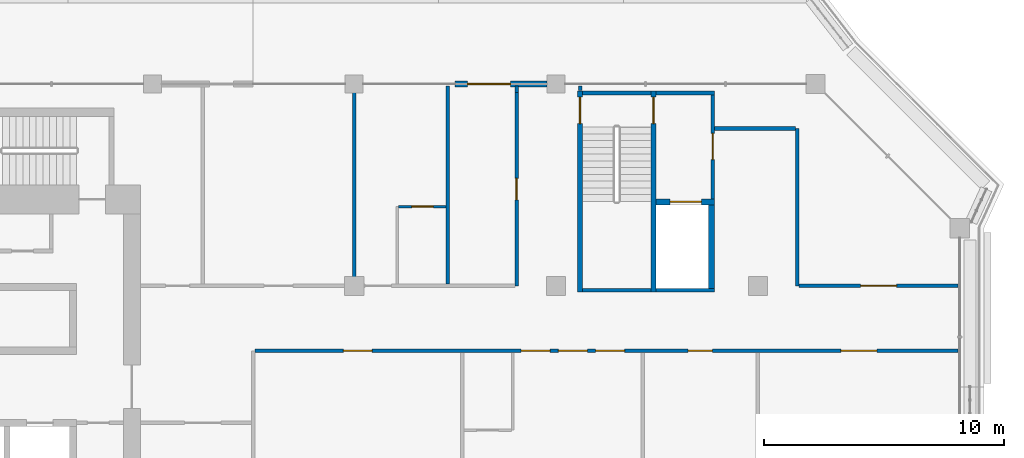
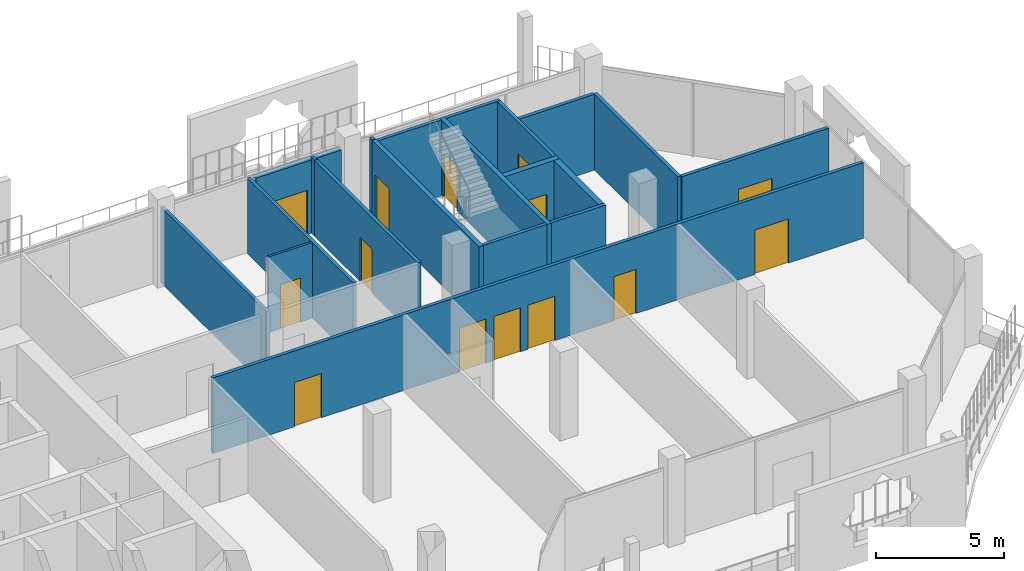
# One storey, part 13 of 21: 20 walls, 14 doors, 14 openings.
"""IFC4 building model written with IfcOpenShell, lengths in metres."""

from ifc_helpers import new_model, si_unit, direction, frame, frame_2d, origin, place, context, subcontext, project, spatial, rectangle, extrude, material, layer, layer_set, type_object, element, fill, save


model = new_model("IFC4")

# Units and contexts
model_context = context("Model", 3, precision=1e-05, world=origin(), true_north=direction((0.0, 1.0)))
body_context = subcontext(model_context, "Body", "Model", "MODEL_VIEW")
ifc_project = project(units=[si_unit("LENGTHUNIT", "METRE"), si_unit("AREAUNIT", "SQUARE_METRE"), si_unit("VOLUMEUNIT", "CUBIC_METRE"), si_unit("PLANEANGLEUNIT", "RADIAN"), si_unit("MASSUNIT", "GRAM", prefix="KILO")], contexts=[model_context])

# Site, building, storey
site_placement = place(None, origin())
site = spatial("IfcSite", under=ifc_project, at=site_placement, CompositionType="ELEMENT")
building_placement = place(site_placement, origin())
building = spatial("IfcBuilding", under=site, at=building_placement, Name="Kawkab Arch Medical Tower", CompositionType="ELEMENT")
storey_placement = place(building_placement, frame((0.0, 0.0, 302.800048828125)))
storey = spatial("IfcBuildingStorey", under=building, at=storey_placement, Name="L70", CompositionType="ELEMENT", Elevation=302.800048828125)

# Wall, opening, door
ifc_material_1 = material(Name="Gypsum board on steel studs", Category="steel")
ifc_layer_1 = layer(ifc_material_1, 0.14990234375)
ifc_layer_set_1 = layer_set([ifc_layer_1], Name="Gypsum board on steel studs")
wall_type_1 = type_object("IfcWallType", Name="Core room partition 150", PredefinedType="PARTITIONING", material=ifc_layer_set_1)
wall_1_placement = place(storey_placement, frame((48.52490234375, -4.77490234375, 0.0), z_axis=(0.0, 0.0, 1.0), x_axis=(0.0, 1.0, 0.0)))
wall_1 = element("IfcWall", 1, at=wall_1_placement, inside=storey, type_object=wall_type_1, Name="L70 core room partition", PredefinedType="PARTITIONING", context=body_context, shape_type="SweptSolid", body=[
    extrude(rectangle(XDim=4.324951171875, YDim=0.14990234375, at=frame_2d((2.16259765625, 0.0))), origin(), (0.0, 0.0, 1.0), 3.599853515625),
])
opening_1_placement = place(wall_1_placement, frame((1.625, 0.0, 0.0)))
opening_1 = element("IfcOpeningElement", 2, at=opening_1_placement, cuts=wall_1, Name="Opening FD", PredefinedType="OPENING", context=body_context, shape_type="SweptSolid", body=[
    extrude(rectangle(XDim=1.10009765625, YDim=2.10009765625, at=frame_2d((0.550048828125, 1.050048828125))), frame((0.0, 0.0849609375, 0.0), z_axis=(0.0, -1.0, 0.0), x_axis=(1.0, 0.0, 0.0)), (0.0, 0.0, 1.0), 0.169921875),
])
ifc_material_2 = material(Name="Hollow metal fire door leaf")
door_type_1 = type_object("IfcDoorType", Name="Firefighting lobby door 1100", OperationType="SINGLE_SWING_LEFT", PredefinedType="DOOR", material=ifc_material_2)
door_1_placement = place(opening_1_placement, origin())
door_1 = element("IfcDoor", 3, at=door_1_placement, inside=storey, type_object=door_type_1, Name="L70 Service lift lobby door SV1", OperationType="SINGLE_SWING_LEFT", OverallHeight=2.10009765625, OverallWidth=1.10009765625, PredefinedType="DOOR", context=body_context, shape_type="SweptSolid", body=[
    extrude(rectangle(XDim=1.10009765625, YDim=2.10009765625, at=frame_2d((0.550048828125, 1.050048828125))), frame((0.0, 0.02490234375, 0.0), z_axis=(0.0, -1.0, 0.0), x_axis=(1.0, 0.0, 0.0)), (0.0, 0.0, 1.0), 0.050048828125),
])
fill(opening_1, door_1)

ifc_material_3 = material(Name="Concrete C60/75", Category="concrete")
ifc_layer_2 = layer(ifc_material_3, 0.25)
ifc_layer_set_2 = layer_set([ifc_layer_2], Name="Concrete C60/75")
wall_type_2 = type_object("IfcWallType", Name="Core shear wall 250 C60/75", PredefinedType="SHEAR", material=ifc_layer_set_2)
wall_2_placement = place(storey_placement, frame((46.14990234375, -4.89990234375, 0.0), z_axis=(0.0, 0.0, 1.0), x_axis=(1.0, 0.0, 0.0)))
wall_2 = element("IfcWall", 4, at=wall_2_placement, inside=storey, type_object=wall_type_2, Name="L70 core shear wall", PredefinedType="SHEAR", context=body_context, shape_type="SweptSolid", body=[
    extrude(rectangle(XDim=2.4501953125, YDim=0.25, at=frame_2d((1.22509765625, 0.0))), origin(), (0.0, 0.0, 1.0), 3.599853515625),
])
opening_2_placement = place(wall_2_placement, frame((0.60009765625, 0.0, 0.0)))
opening_2 = element("IfcOpeningElement", 5, at=opening_2_placement, cuts=wall_2, Name="Opening LD2", PredefinedType="OPENING", context=body_context, shape_type="SweptSolid", body=[
    extrude(rectangle(XDim=1.300048828125, YDim=2.10009765625, at=frame_2d((0.64990234375, 1.050048828125))), frame((0.0, 0.135009765625, 0.0), z_axis=(0.0, -1.0, 0.0), x_axis=(1.0, 0.0, 0.0)), (0.0, 0.0, 1.0), 0.27001953125),
])
ifc_material_4 = material(Name="Stainless steel lift door leaf", Category="steel")
door_type_2 = type_object("IfcDoorType", Name="Lift landing door 1300", OperationType="DOUBLE_DOOR_SLIDING", PredefinedType="DOOR", material=ifc_material_4)
door_2_placement = place(opening_2_placement, origin())
door_2 = element("IfcDoor", 6, at=door_2_placement, inside=storey, type_object=door_type_2, Name="L70 Lift landing door SV1", OperationType="DOUBLE_DOOR_SLIDING", OverallHeight=2.10009765625, OverallWidth=1.300048828125, PredefinedType="DOOR", context=body_context, shape_type="SweptSolid", body=[
    extrude(rectangle(XDim=1.300048828125, YDim=2.10009765625, at=frame_2d((0.64990234375, 1.050048828125))), frame((0.0, 0.02490234375, 0.0), z_axis=(0.0, -1.0, 0.0), x_axis=(1.0, 0.0, 0.0)), (0.0, 0.0, 1.0), 0.050048828125),
])
fill(opening_2, door_2)

# Wall
wall_3_placement = place(storey_placement, frame((48.47509765625, -8.5, 0.0), z_axis=(0.0, 0.0, 1.0), x_axis=(0.0, 1.0, 0.0)))
element("IfcWall", 7, at=wall_3_placement, inside=storey, type_object=wall_type_2, Name="L70 core shear wall", PredefinedType="SHEAR", context=body_context, shape_type="SweptSolid", body=[
    extrude(rectangle(XDim=3.47509765625, YDim=0.25, at=frame_2d((1.737548828125, 0.0))), origin(), (0.0, 0.0, 1.0), 3.599853515625),
])

# Wall, opening, door
ifc_material_5 = material(Name="Bronze clad insulated wall panel")
ifc_layer_3 = layer(ifc_material_5, 0.25)
ifc_layer_set_3 = layer_set([ifc_layer_3], Name="Bronze clad insulated wall panel")
wall_type_3 = type_object("IfcWallType", Name="External wall bay 250", PredefinedType="SOLIDWALL", material=ifc_layer_set_3)
wall_4_placement = place(storey_placement, frame((41.625, 0.0, 0.0), z_axis=(0.0, 0.0, 1.0), x_axis=(-1.0, 0.0, 0.0)))
wall_4 = element("IfcWall", 8, at=wall_4_placement, inside=storey, type_object=wall_type_3, Name="External wall bay L70.R15.2.1", PredefinedType="SOLIDWALL", context=body_context, shape_type="SweptSolid", body=[
    extrude(rectangle(XDim=3.824951171875, YDim=0.25, at=frame_2d((1.91259765625, 0.0))), origin(), (0.0, 0.0, 1.0), 3.47998046875),
])
opening_3_placement = place(wall_4_placement, frame((1.512451171875, 0.0, 0.0)))
opening_3 = element("IfcOpeningElement", 9, at=opening_3_placement, cuts=wall_4, Name="Opening W70-701", PredefinedType="OPENING", context=body_context, shape_type="SweptSolid", body=[
    extrude(rectangle(XDim=1.800048828125, YDim=2.10009765625, at=frame_2d((0.89990234375, 1.050048828125))), frame((0.0, 0.135009765625, 0.0), z_axis=(0.0, -1.0, 0.0), x_axis=(1.0, 0.0, 0.0)), (0.0, 0.0, 1.0), 0.27001953125),
])
ifc_material_6 = material(Name="Bronze anodised aluminium door with tinted glass", Category="aluminium")
door_type_3 = type_object("IfcDoorType", Name="Double external door 1800 x 2100", OperationType="DOUBLE_DOOR_SINGLE_SWING", PredefinedType="DOOR", material=ifc_material_6)
door_3_placement = place(opening_3_placement, origin())
door_3 = element("IfcDoor", 10, at=door_3_placement, inside=storey, type_object=door_type_3, Name="External door L70.R15.2.1", OperationType="DOUBLE_DOOR_SINGLE_SWING", OverallHeight=2.10009765625, OverallWidth=1.800048828125, PredefinedType="DOOR", context=body_context, shape_type="SweptSolid", body=[
    extrude(rectangle(XDim=1.800048828125, YDim=2.10009765625, at=frame_2d((0.89990234375, 1.050048828125))), frame((0.0, 0.02490234375, 0.0), z_axis=(0.0, -1.0, 0.0), x_axis=(1.0, 0.0, 0.0)), (0.0, 0.0, 1.0), 0.050048828125),
])
fill(opening_3, door_3)

ifc_material_7 = material(Name="Gypsum board partition on steel studs", Category="steel")
ifc_layer_4 = layer(ifc_material_7, 0.10009765625)
ifc_layer_set_4 = layer_set([ifc_layer_4], Name="Gypsum board partition on steel studs")
wall_type_4 = type_object("IfcWallType", Name="Partition 100", PredefinedType="PARTITIONING", material=ifc_layer_set_4)
wall_5_placement = place(storey_placement, frame((35.449951171875, -5.10009765625, 0.0), z_axis=(0.0, 0.0, 1.0), x_axis=(1.0, 0.0, 0.0)))
wall_5 = element("IfcWall", 11, at=wall_5_placement, inside=storey, type_object=wall_type_4, Name="Partition 100 w002", PredefinedType="PARTITIONING", context=body_context, shape_type="SweptSolid", body=[
    extrude(rectangle(XDim=1.97509765625, YDim=0.10009765625, at=frame_2d((0.987548828125, 0.0))), origin(), (0.0, 0.0, 1.0), 3.599853515625),
])
opening_4_placement = place(wall_5_placement, frame((0.550048828125, 0.0, 0.0)))
opening_4 = element("IfcOpeningElement", 12, at=opening_4_placement, cuts=wall_5, Name="Opening W70-004", PredefinedType="OPENING", context=body_context, shape_type="SweptSolid", body=[
    extrude(rectangle(XDim=0.89990234375, YDim=2.10009765625, at=frame_2d((0.449951171875, 1.050048828125))), frame((0.0, 0.06005859375, 0.0), z_axis=(0.0, -1.0, 0.0), x_axis=(1.0, 0.0, 0.0)), (0.0, 0.0, 1.0), 0.1201171875),
])
ifc_material_8 = material(Name="Timber door leaf", Category="wood")
door_type_4 = type_object("IfcDoorType", Name="Single door 900x2100", OperationType="NOTDEFINED", PredefinedType="DOOR", material=ifc_material_8)
door_4_placement = place(opening_4_placement, origin())
door_4 = element("IfcDoor", 13, at=door_4_placement, inside=storey, type_object=door_type_4, Name="Door W70-004", OperationType="SINGLE_SWING_RIGHT", OverallHeight=2.10009765625, OverallWidth=0.89990234375, PredefinedType="DOOR", context=body_context, shape_type="SweptSolid", body=[
    extrude(rectangle(XDim=0.89990234375, YDim=2.10009765625, at=frame_2d((0.449951171875, 1.050048828125))), frame((0.0, 0.02490234375, 0.0), z_axis=(0.0, -1.0, 0.0), x_axis=(1.0, 0.0, 0.0)), (0.0, 0.0, 1.0), 0.050048828125),
])
fill(opening_4, door_4)

# Wall, openings, doors
ifc_material_9 = material(Name="Gypsum board partition on steel studs, mineral wool", Category="steel")
ifc_layer_5 = layer(ifc_material_9, 0.14990234375)
ifc_layer_set_5 = layer_set([ifc_layer_5], Name="Gypsum board partition on steel studs, mineral wool")
wall_type_5 = type_object("IfcWallType", Name="Partition 150", PredefinedType="PARTITIONING", material=ifc_layer_set_5)
wall_6_placement = place(storey_placement, frame((29.47509765625, -11.10009765625, 0.0), z_axis=(0.0, 0.0, 1.0), x_axis=(1.0, 0.0, 0.0)))
wall_6 = element("IfcWall", 14, at=wall_6_placement, inside=storey, type_object=wall_type_5, Name="Partition 150 w010", PredefinedType="PARTITIONING", context=body_context, shape_type="SweptSolid", body=[
    extrude(rectangle(XDim=29.244873046875, YDim=0.14990234375, at=frame_2d((14.62255859375, 0.0))), origin(), (0.0, 0.0, 1.0), 3.599853515625),
])
opening_5_placement = place(wall_6_placement, frame((3.675048828125, 0.0, 0.0)))
opening_5 = element("IfcOpeningElement", 15, at=opening_5_placement, cuts=wall_6, Name="Opening W70-011", PredefinedType="OPENING", context=body_context, shape_type="SweptSolid", body=[
    extrude(rectangle(XDim=1.199951171875, YDim=2.10009765625, at=frame_2d((0.60009765625, 1.050048828125))), frame((0.0, 0.0849609375, 0.0), z_axis=(0.0, -1.0, 0.0), x_axis=(1.0, 0.0, 0.0)), (0.0, 0.0, 1.0), 0.169921875),
])
opening_6_placement = place(wall_6_placement, frame((14.175048828125, 0.0, 0.0)))
opening_6 = element("IfcOpeningElement", 16, at=opening_6_placement, cuts=wall_6, Name="Opening W70-012", PredefinedType="OPENING", context=body_context, shape_type="SweptSolid", body=[
    extrude(rectangle(XDim=1.199951171875, YDim=2.10009765625, at=frame_2d((0.60009765625, 1.050048828125))), frame((0.0, 0.0849609375, 0.0), z_axis=(0.0, -1.0, 0.0), x_axis=(1.0, 0.0, 0.0)), (0.0, 0.0, 1.0), 0.169921875),
])
opening_7_placement = place(wall_6_placement, frame((12.625, 0.0, 0.0)))
opening_7 = element("IfcOpeningElement", 17, at=opening_7_placement, cuts=wall_6, Name="Opening W70-013", PredefinedType="OPENING", context=body_context, shape_type="SweptSolid", body=[
    extrude(rectangle(XDim=1.199951171875, YDim=2.10009765625, at=frame_2d((0.60009765625, 1.050048828125))), frame((0.0, 0.0849609375, 0.0), z_axis=(0.0, -1.0, 0.0), x_axis=(1.0, 0.0, 0.0)), (0.0, 0.0, 1.0), 0.169921875),
])
opening_8_placement = place(wall_6_placement, frame((11.074951171875, 0.0, 0.0)))
opening_8 = element("IfcOpeningElement", 18, at=opening_8_placement, cuts=wall_6, Name="Opening W70-014", PredefinedType="OPENING", context=body_context, shape_type="SweptSolid", body=[
    extrude(rectangle(XDim=1.199951171875, YDim=2.10009765625, at=frame_2d((0.60009765625, 1.050048828125))), frame((0.0, 0.0849609375, 0.0), z_axis=(0.0, -1.0, 0.0), x_axis=(1.0, 0.0, 0.0)), (0.0, 0.0, 1.0), 0.169921875),
])
opening_9_placement = place(wall_6_placement, frame((18.02490234375, 0.0, 0.0)))
opening_9 = element("IfcOpeningElement", 19, at=opening_9_placement, cuts=wall_6, Name="Opening W70-008", PredefinedType="OPENING", context=body_context, shape_type="SweptSolid", body=[
    extrude(rectangle(XDim=1.0, YDim=2.10009765625, at=frame_2d((0.5, 1.050048828125))), frame((0.0, 0.0849609375, 0.0), z_axis=(0.0, -1.0, 0.0), x_axis=(1.0, 0.0, 0.0)), (0.0, 0.0, 1.0), 0.169921875),
])
opening_10_placement = place(wall_6_placement, frame((24.375, 0.0, 0.0)))
opening_10 = element("IfcOpeningElement", 20, at=opening_10_placement, cuts=wall_6, Name="Opening W70-003", PredefinedType="OPENING", context=body_context, shape_type="SweptSolid", body=[
    extrude(rectangle(XDim=1.5, YDim=2.10009765625, at=frame_2d((0.75, 1.050048828125))), frame((0.0, 0.0849609375, 0.0), z_axis=(0.0, -1.0, 0.0), x_axis=(1.0, 0.0, 0.0)), (0.0, 0.0, 1.0), 0.169921875),
])
ifc_material_10 = material(Name="Hollow metal door leaf")
door_type_5 = type_object("IfcDoorType", Name="Double door 1500x2100 FD30S", OperationType="NOTDEFINED", PredefinedType="DOOR", material=ifc_material_10)
door_5_placement = place(opening_10_placement, origin())
door_5 = element("IfcDoor", 21, at=door_5_placement, inside=storey, type_object=door_type_5, Name="Door W70-003", OperationType="DOUBLE_DOOR_SINGLE_SWING", OverallHeight=2.10009765625, OverallWidth=1.5, PredefinedType="DOOR", context=body_context, shape_type="SweptSolid", body=[
    extrude(rectangle(XDim=1.5, YDim=2.10009765625, at=frame_2d((0.75, 1.050048828125))), frame((0.0, 0.02490234375, 0.0), z_axis=(0.0, -1.0, 0.0), x_axis=(1.0, 0.0, 0.0)), (0.0, 0.0, 1.0), 0.050048828125),
])
fill(opening_10, door_5)
ifc_material_11 = material(Name="Hollow metal door leaf")
door_type_6 = type_object("IfcDoorType", Name="Single door 1000x2100 FD30S", OperationType="NOTDEFINED", PredefinedType="DOOR", material=ifc_material_11)
door_6_placement = place(opening_9_placement, origin())
door_6 = element("IfcDoor", 22, at=door_6_placement, inside=storey, type_object=door_type_6, Name="Door W70-008", OperationType="SINGLE_SWING_LEFT", OverallHeight=2.10009765625, OverallWidth=1.0, PredefinedType="DOOR", context=body_context, shape_type="SweptSolid", body=[
    extrude(rectangle(XDim=1.0, YDim=2.10009765625, at=frame_2d((0.5, 1.050048828125))), frame((0.0, 0.02490234375, 0.0), z_axis=(0.0, -1.0, 0.0), x_axis=(1.0, 0.0, 0.0)), (0.0, 0.0, 1.0), 0.050048828125),
])
fill(opening_9, door_6)
ifc_material_12 = material(Name="Hollow metal door leaf")
door_type_7 = type_object("IfcDoorType", Name="Single door 1200x2100 FD30S", OperationType="NOTDEFINED", PredefinedType="DOOR", material=ifc_material_12)
door_7_placement = place(opening_5_placement, origin())
door_7 = element("IfcDoor", 23, at=door_7_placement, inside=storey, type_object=door_type_7, Name="Door W70-011", OperationType="SINGLE_SWING_RIGHT", OverallHeight=2.10009765625, OverallWidth=1.199951171875, PredefinedType="DOOR", context=body_context, shape_type="SweptSolid", body=[
    extrude(rectangle(XDim=1.199951171875, YDim=2.10009765625, at=frame_2d((0.60009765625, 1.050048828125))), frame((0.0, 0.02490234375, 0.0), z_axis=(0.0, -1.0, 0.0), x_axis=(1.0, 0.0, 0.0)), (0.0, 0.0, 1.0), 0.050048828125),
])
fill(opening_5, door_7)
door_8_placement = place(opening_6_placement, origin())
door_8 = element("IfcDoor", 24, at=door_8_placement, inside=storey, type_object=door_type_7, Name="Door W70-012", OperationType="SINGLE_SWING_RIGHT", OverallHeight=2.10009765625, OverallWidth=1.199951171875, PredefinedType="DOOR", context=body_context, shape_type="SweptSolid", body=[
    extrude(rectangle(XDim=1.199951171875, YDim=2.10009765625, at=frame_2d((0.60009765625, 1.050048828125))), frame((0.0, 0.02490234375, 0.0), z_axis=(0.0, -1.0, 0.0), x_axis=(1.0, 0.0, 0.0)), (0.0, 0.0, 1.0), 0.050048828125),
])
fill(opening_6, door_8)
door_9_placement = place(opening_7_placement, origin())
door_9 = element("IfcDoor", 25, at=door_9_placement, inside=storey, type_object=door_type_7, Name="Door W70-013", OperationType="SINGLE_SWING_RIGHT", OverallHeight=2.10009765625, OverallWidth=1.199951171875, PredefinedType="DOOR", context=body_context, shape_type="SweptSolid", body=[
    extrude(rectangle(XDim=1.199951171875, YDim=2.10009765625, at=frame_2d((0.60009765625, 1.050048828125))), frame((0.0, 0.02490234375, 0.0), z_axis=(0.0, -1.0, 0.0), x_axis=(1.0, 0.0, 0.0)), (0.0, 0.0, 1.0), 0.050048828125),
])
fill(opening_7, door_9)
door_10_placement = place(opening_8_placement, origin())
door_10 = element("IfcDoor", 26, at=door_10_placement, inside=storey, type_object=door_type_7, Name="Door W70-014", OperationType="SINGLE_SWING_RIGHT", OverallHeight=2.10009765625, OverallWidth=1.199951171875, PredefinedType="DOOR", context=body_context, shape_type="SweptSolid", body=[
    extrude(rectangle(XDim=1.199951171875, YDim=2.10009765625, at=frame_2d((0.60009765625, 1.050048828125))), frame((0.0, 0.02490234375, 0.0), z_axis=(0.0, -1.0, 0.0), x_axis=(1.0, 0.0, 0.0)), (0.0, 0.0, 1.0), 0.050048828125),
])
fill(opening_8, door_10)

# Wall, opening, door
wall_7_placement = place(storey_placement, frame((52.117919921875, -8.39990234375, 0.0), z_axis=(0.0, 0.0, 1.0), x_axis=(1.0, 0.0, 0.0)))
wall_7 = element("IfcWall", 27, at=wall_7_placement, inside=storey, type_object=wall_type_5, Name="Partition 150 w012", PredefinedType="PARTITIONING", context=body_context, shape_type="SweptSolid", body=[
    extrude(rectangle(XDim=6.60205078125, YDim=0.14990234375, at=frame_2d((3.301025390625, 0.0))), origin(), (0.0, 0.0, 1.0), 3.599853515625),
])
opening_11_placement = place(wall_7_placement, frame((2.552978515625, 0.0, 0.0)))
opening_11 = element("IfcOpeningElement", 28, at=opening_11_placement, cuts=wall_7, Name="Opening W70-002", PredefinedType="OPENING", context=body_context, shape_type="SweptSolid", body=[
    extrude(rectangle(XDim=1.5, YDim=2.10009765625, at=frame_2d((0.75, 1.050048828125))), frame((0.0, 0.0849609375, 0.0), z_axis=(0.0, -1.0, 0.0), x_axis=(1.0, 0.0, 0.0)), (0.0, 0.0, 1.0), 0.169921875),
])
door_11_placement = place(opening_11_placement, origin())
door_11 = element("IfcDoor", 29, at=door_11_placement, inside=storey, type_object=door_type_5, Name="Door W70-002", OperationType="DOUBLE_DOOR_SINGLE_SWING", OverallHeight=2.10009765625, OverallWidth=1.5, PredefinedType="DOOR", context=body_context, shape_type="SweptSolid", body=[
    extrude(rectangle(XDim=1.5, YDim=2.10009765625, at=frame_2d((0.75, 1.050048828125))), frame((0.0, 0.02490234375, 0.0), z_axis=(0.0, -1.0, 0.0), x_axis=(1.0, 0.0, 0.0)), (0.0, 0.0, 1.0), 0.050048828125),
])
fill(opening_11, door_11)

# Walls
wall_8_placement = place(storey_placement, frame((48.60009765625, -1.85009765625, 0.0), z_axis=(0.0, 0.0, 1.0), x_axis=(1.0, 0.0, 0.0)))
element("IfcWall", 30, at=wall_8_placement, inside=storey, type_object=wall_type_5, Name="Partition 150 w013", PredefinedType="PARTITIONING", context=body_context, shape_type="SweptSolid", body=[
    extrude(rectangle(XDim=3.365966796875, YDim=0.14990234375, at=frame_2d((1.68310546875, 0.0))), origin(), (0.0, 0.0, 1.0), 3.599853515625),
])
for number, where, z_axis, x_axis, name in (
    (31, (33.60009765625, -8.324951171875, 0.0), (0.0, 0.0, 1.0), (0.0, 1.0, 0.0), "Partition 150 w020"),
    (32, (37.5, -8.324951171875, 0.0), (0.0, 0.0, 1.0), (0.0, 1.0, 0.0), "Partition 150 w021"),
):
    element("IfcWall", number, at=place(storey_placement, frame(where, z_axis=z_axis, x_axis=x_axis)), inside=storey, type_object=wall_type_5, Name=name, PredefinedType="PARTITIONING", context=body_context, shape_type="SweptSolid", body=[
        extrude(rectangle(XDim=8.244873046875, YDim=0.14990234375, at=frame_2d((4.12255859375, 0.0))), origin(), (0.0, 0.0, 1.0), 3.599853515625),
    ])

# Wall, opening, door
wall_9_placement = place(storey_placement, frame((40.35693359375, -8.39990234375, 0.0), z_axis=(0.0, 0.0, 1.0), x_axis=(0.0, 1.0, 0.0)))
wall_9 = element("IfcWall", 33, at=wall_9_placement, inside=storey, type_object=wall_type_5, Name="Partition 150 w023", PredefinedType="PARTITIONING", context=body_context, shape_type="SweptSolid", body=[
    extrude(rectangle(XDim=8.0478515625, YDim=0.14990234375, at=frame_2d((4.02392578125, 0.0))), origin(), (0.0, 0.0, 1.0), 3.599853515625),
])
opening_12_placement = place(wall_9_placement, frame((3.573974609375, 0.0, 0.0)))
opening_12 = element("IfcOpeningElement", 34, at=opening_12_placement, cuts=wall_9, Name="Opening W70-006", PredefinedType="OPENING", context=body_context, shape_type="SweptSolid", body=[
    extrude(rectangle(XDim=0.89990234375, YDim=2.10009765625, at=frame_2d((0.449951171875, 1.050048828125))), frame((0.0, 0.0849609375, 0.0), z_axis=(0.0, -1.0, 0.0), x_axis=(1.0, 0.0, 0.0)), (0.0, 0.0, 1.0), 0.169921875),
])
door_12_placement = place(opening_12_placement, origin())
door_12 = element("IfcDoor", 35, at=door_12_placement, inside=storey, type_object=door_type_4, Name="Door W70-006", OperationType="SINGLE_SWING_RIGHT", OverallHeight=2.10009765625, OverallWidth=0.89990234375, PredefinedType="DOOR", context=body_context, shape_type="SweptSolid", body=[
    extrude(rectangle(XDim=0.89990234375, YDim=2.10009765625, at=frame_2d((0.449951171875, 1.050048828125))), frame((0.0, 0.02490234375, 0.0), z_axis=(0.0, -1.0, 0.0), x_axis=(1.0, 0.0, 0.0)), (0.0, 0.0, 1.0), 0.050048828125),
])
fill(opening_12, door_12)

# Walls
wall_10_placement = place(storey_placement, frame((40.35693359375, -0.35009765625, 0.0), z_axis=(0.0, 0.0, 1.0), x_axis=(0.0, 1.0, 0.0)))
element("IfcWall", 36, at=wall_10_placement, inside=storey, type_object=wall_type_5, Name="Partition 150 w024", PredefinedType="PARTITIONING", context=body_context, shape_type="SweptSolid", body=[
    extrude(rectangle(XDim=0.27001953125, YDim=0.14990234375, at=frame_2d((0.135009765625, 0.0))), origin(), (0.0, 0.0, 1.0), 3.599853515625),
])
wall_11_placement = place(storey_placement, frame((43.0, -0.27001953125, 0.0), z_axis=(0.0, 0.0, 1.0), x_axis=(0.0, 1.0, 0.0)))
element("IfcWall", 37, at=wall_11_placement, inside=storey, type_object=wall_type_5, Name="Partition 150 w025", PredefinedType="PARTITIONING", context=body_context, shape_type="SweptSolid", body=[
    extrude(rectangle(XDim=0.18994140625, YDim=0.14990234375, at=frame_2d((0.094970703125, 0.0))), origin(), (0.0, 0.0, 1.0), 3.599853515625),
])
wall_12_placement = place(storey_placement, frame((52.04296875, -8.39990234375, 0.0), z_axis=(0.0, 0.0, 1.0), x_axis=(0.0, 1.0, 0.0)))
element("IfcWall", 38, at=wall_12_placement, inside=storey, type_object=wall_type_5, Name="Partition 150 w028", PredefinedType="PARTITIONING", context=body_context, shape_type="SweptSolid", body=[
    extrude(rectangle(XDim=6.5478515625, YDim=0.14990234375, at=frame_2d((3.27392578125, 0.0))), origin(), (0.0, 0.0, 1.0), 3.599853515625),
])
ifc_material_13 = material(Name="Concrete C50/60", Category="concrete")
ifc_layer_6 = layer(ifc_material_13, 0.14990234375)
ifc_layer_set_6 = layer_set([ifc_layer_6], Name="Concrete C50/60")
wall_type_6 = type_object("IfcWallType", Name="Stair enclosure wall 150 C50/60", PredefinedType="SHEAR", material=ifc_layer_set_6)
wall_13_placement = place(storey_placement, frame((43.10009765625, -0.375, 0.0), z_axis=(0.0, 0.0, 1.0), x_axis=(1.0, 0.0, 0.0)))
element("IfcWall", 39, at=wall_13_placement, inside=storey, type_object=wall_type_6, Name="L70 stair enclosure wall", PredefinedType="SHEAR", context=body_context, shape_type="SweptSolid", body=[
    extrude(rectangle(XDim=2.849853515625, YDim=0.14990234375, at=frame_2d((1.4248046875, 0.0))), origin(), (0.0, 0.0, 1.0), 3.599853515625),
])
wall_14_placement = place(storey_placement, frame((46.14990234375, -0.375, 0.0), z_axis=(0.0, 0.0, 1.0), x_axis=(1.0, 0.0, 0.0)))
element("IfcWall", 40, at=wall_14_placement, inside=storey, type_object=wall_type_6, Name="L70 stair enclosure wall", PredefinedType="SHEAR", context=body_context, shape_type="SweptSolid", body=[
    extrude(rectangle(XDim=2.4501953125, YDim=0.14990234375, at=frame_2d((1.22509765625, 0.0))), origin(), (0.0, 0.0, 1.0), 3.599853515625),
])
wall_15_placement = place(storey_placement, frame((43.10009765625, -8.574951171875, 0.0), z_axis=(0.0, 0.0, 1.0), x_axis=(1.0, 0.0, 0.0)))
element("IfcWall", 41, at=wall_15_placement, inside=storey, type_object=wall_type_6, Name="L70 stair enclosure wall", PredefinedType="SHEAR", context=body_context, shape_type="SweptSolid", body=[
    extrude(rectangle(XDim=2.849853515625, YDim=0.14990234375, at=frame_2d((1.4248046875, 0.0))), origin(), (0.0, 0.0, 1.0), 3.599853515625),
])
wall_16_placement = place(storey_placement, frame((46.14990234375, -8.574951171875, 0.0), z_axis=(0.0, 0.0, 1.0), x_axis=(1.0, 0.0, 0.0)))
element("IfcWall", 42, at=wall_16_placement, inside=storey, type_object=wall_type_6, Name="L70 stair enclosure wall", PredefinedType="SHEAR", context=body_context, shape_type="SweptSolid", body=[
    extrude(rectangle(XDim=2.4501953125, YDim=0.14990234375, at=frame_2d((1.22509765625, 0.0))), origin(), (0.0, 0.0, 1.0), 3.599853515625),
])

# Wall, opening, door
ifc_material_14 = material(Name="Concrete C50/60", Category="concrete")
ifc_layer_7 = layer(ifc_material_14, 0.199951171875)
ifc_layer_set_7 = layer_set([ifc_layer_7], Name="Concrete C50/60")
wall_type_7 = type_object("IfcWallType", Name="Stair enclosure wall 200 C50/60", PredefinedType="SHEAR", material=ifc_layer_set_7)
wall_17_placement = place(storey_placement, frame((43.0, -8.64990234375, 0.0), z_axis=(0.0, 0.0, 1.0), x_axis=(0.0, 1.0, 0.0)))
wall_17 = element("IfcWall", 43, at=wall_17_placement, inside=storey, type_object=wall_type_7, Name="L70 stair enclosure wall", PredefinedType="SHEAR", context=body_context, shape_type="SweptSolid", body=[
    extrude(rectangle(XDim=8.349853515625, YDim=0.199951171875, at=frame_2d((4.1748046875, 0.0))), origin(), (0.0, 0.0, 1.0), 3.599853515625),
])
opening_13_placement = place(wall_17_placement, frame((7.0, 0.0, 0.0)))
opening_13 = element("IfcOpeningElement", 44, at=opening_13_placement, cuts=wall_17, Name="Opening SD", PredefinedType="OPENING", context=body_context, shape_type="SweptSolid", body=[
    extrude(rectangle(XDim=1.10009765625, YDim=2.10009765625, at=frame_2d((0.550048828125, 1.050048828125))), frame((0.0, 0.10986328125, 0.0), z_axis=(0.0, -1.0, 0.0), x_axis=(1.0, 0.0, 0.0)), (0.0, 0.0, 1.0), 0.219970703125),
])
ifc_material_15 = material(Name="Hollow metal fire door leaf")
door_type_8 = type_object("IfcDoorType", Name="Exit stair door 1100", OperationType="SINGLE_SWING_LEFT", PredefinedType="DOOR", material=ifc_material_15)
door_13_placement = place(opening_13_placement, frame((1.10009765625, 0.0, 0.0), z_axis=(0.0, 0.0, 1.0), x_axis=(-1.0, 0.0, 0.0)))
door_13 = element("IfcDoor", 45, at=door_13_placement, inside=storey, type_object=door_type_8, Name="L70 Exit stair ST5 door", OperationType="SINGLE_SWING_LEFT", OverallHeight=2.10009765625, OverallWidth=1.10009765625, PredefinedType="DOOR", context=body_context, shape_type="SweptSolid", body=[
    extrude(rectangle(XDim=1.10009765625, YDim=2.10009765625, at=frame_2d((0.550048828125, 1.050048828125))), frame((0.0, 0.02490234375, 0.0), z_axis=(0.0, -1.0, 0.0), x_axis=(1.0, 0.0, 0.0)), (0.0, 0.0, 1.0), 0.050048828125),
])
fill(opening_13, door_13)

wall_18_placement = place(storey_placement, frame((46.050048828125, -8.64990234375, 0.0), z_axis=(0.0, 0.0, 1.0), x_axis=(0.0, 1.0, 0.0)))
wall_18 = element("IfcWall", 46, at=wall_18_placement, inside=storey, type_object=wall_type_7, Name="L70 stair enclosure wall", PredefinedType="SHEAR", context=body_context, shape_type="SweptSolid", body=[
    extrude(rectangle(XDim=8.349853515625, YDim=0.199951171875, at=frame_2d((4.1748046875, 0.0))), origin(), (0.0, 0.0, 1.0), 3.599853515625),
])
opening_14_placement = place(wall_18_placement, frame((7.0, 0.0, 0.0)))
opening_14 = element("IfcOpeningElement", 47, at=opening_14_placement, cuts=wall_18, Name="Opening SD", PredefinedType="OPENING", context=body_context, shape_type="SweptSolid", body=[
    extrude(rectangle(XDim=1.10009765625, YDim=2.10009765625, at=frame_2d((0.550048828125, 1.050048828125))), frame((0.0, 0.10986328125, 0.0), z_axis=(0.0, -1.0, 0.0), x_axis=(1.0, 0.0, 0.0)), (0.0, 0.0, 1.0), 0.219970703125),
])
door_14_placement = place(opening_14_placement, origin())
door_14 = element("IfcDoor", 48, at=door_14_placement, inside=storey, type_object=door_type_8, Name="L70 Exit stair ST5 lobby door", OperationType="SINGLE_SWING_LEFT", OverallHeight=2.10009765625, OverallWidth=1.10009765625, PredefinedType="DOOR", context=body_context, shape_type="SweptSolid", body=[
    extrude(rectangle(XDim=1.10009765625, YDim=2.10009765625, at=frame_2d((0.550048828125, 1.050048828125))), frame((0.0, 0.02490234375, 0.0), z_axis=(0.0, -1.0, 0.0), x_axis=(1.0, 0.0, 0.0)), (0.0, 0.0, 1.0), 0.050048828125),
])
fill(opening_14, door_14)

save(model, "model.ifc")
